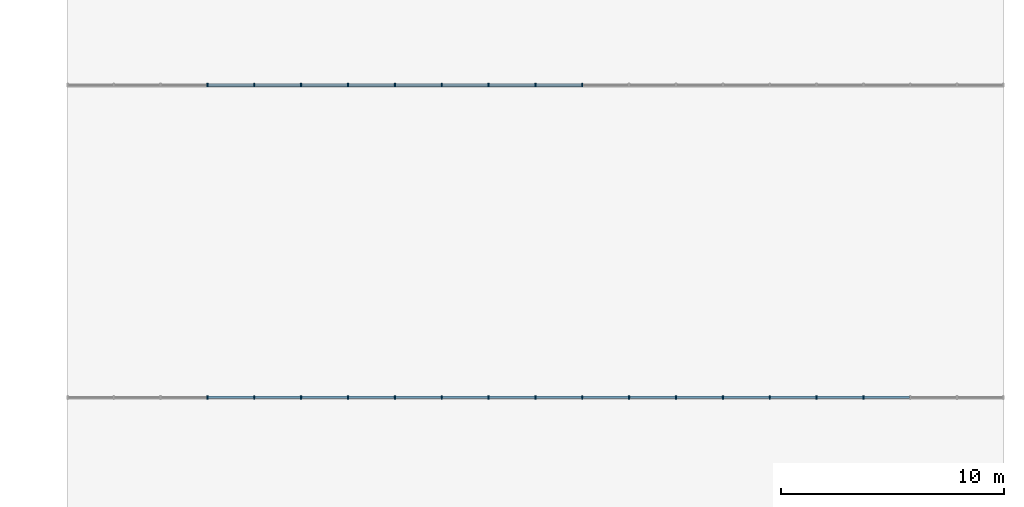
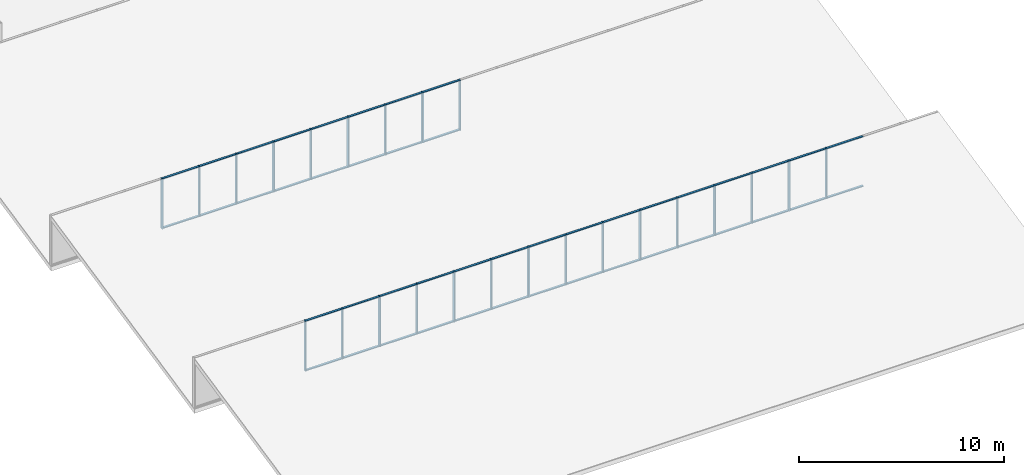
# One storey, part 36 of 137: 70 members, 2 elements without a shape of their own.
"""IFC4 building model written with IfcOpenShell, lengths in metres."""

from ifc_helpers import new_model, si_unit, direction, frame, origin, origin_2d, place, context, subcontext, project, spatial, rectangle, extrude, material, material_profile, profile_set, type_object, element, aggregate, save


model = new_model("IFC4")

# Units and contexts
model_context = context("Model", 3, precision=1e-05, world=origin(), true_north=direction((0.0, 1.0)))
body_context = subcontext(model_context, "Body", "Model", "MODEL_VIEW")
ifc_project = project(units=[si_unit("LENGTHUNIT", "METRE"), si_unit("AREAUNIT", "SQUARE_METRE"), si_unit("VOLUMEUNIT", "CUBIC_METRE"), si_unit("PLANEANGLEUNIT", "RADIAN"), si_unit("MASSUNIT", "GRAM", prefix="KILO")], contexts=[model_context])

# Site, building, storey
site_placement = place(None, origin())
site = spatial("IfcSite", under=ifc_project, at=site_placement, CompositionType="ELEMENT")
building_placement = place(site_placement, origin())
building = spatial("IfcBuilding", under=site, at=building_placement, Name="Bougainvillea Quay General Hospital", CompositionType="ELEMENT")
storey_placement = place(building_placement, frame((0.0, 0.0, 16.800048828125)))
storey = spatial("IfcBuildingStorey", under=building, at=storey_placement, Name="L03", CompositionType="ELEMENT", Elevation=16.800048828125)

# Curtain wall, members
ifc_material_1 = material(Name="Aluminium curtain wall system, powder-coated glazed", Category="aluminium")
curtain_wall_type = type_object("IfcCurtainWallType", Name="Unitised curtain wall CW-2100", PredefinedType="NOTDEFINED", material=ifc_material_1)
curtain_wall_1_placement = place(storey_placement, origin())
curtain_wall_1 = element("IfcCurtainWall", 1, at=curtain_wall_1_placement, inside=storey, type_object=curtain_wall_type, Name="ST-G1 GL0", PredefinedType="NOTDEFINED")
ifc_material_2 = material(Name="Aluminium mullion, powder-coated charcoal", Category="aluminium")
ifc_material_profile_1 = material_profile(ifc_material_2, rectangle(XDim=0.159912109375, YDim=0.06005859375, at=origin_2d()))
ifc_profile_set_1 = profile_set([ifc_material_profile_1], Name="Aluminium mullion, powder-coated charcoal")
member_type_1 = type_object("IfcMemberType", Name="Curtain wall mullion 160x60", PredefinedType="MULLION", material=ifc_profile_set_1)
member_1_placement = place(storey_placement, frame((170.10009765625, 89.679931640625, 0.0), z_axis=(0.0, 0.0, 1.0), x_axis=(0.0, 1.0, 0.0)))
member_1 = element("IfcMember", 2, at=member_1_placement, type_object=member_type_1, Name="ST-G1 mullion 4", PredefinedType="MULLION", context=body_context, shape_type="SweptSolid", body=[
    extrude(rectangle(XDim=0.159912109375, YDim=0.06005859375, at=origin_2d()), origin(), (0.0, 0.0, 1.0), 3.0),
])
member_2_placement = place(storey_placement, frame((172.199951171875, 89.679931640625, 0.0), z_axis=(0.0, 0.0, 1.0), x_axis=(0.0, 1.0, 0.0)))
member_2 = element("IfcMember", 3, at=member_2_placement, type_object=member_type_1, Name="ST-G1 mullion 5", PredefinedType="MULLION", context=body_context, shape_type="SweptSolid", body=[
    extrude(rectangle(XDim=0.159912109375, YDim=0.06005859375, at=origin_2d()), origin(), (0.0, 0.0, 1.0), 3.0),
])
member_3_placement = place(storey_placement, frame((174.300048828125, 89.679931640625, 0.0), z_axis=(0.0, 0.0, 1.0), x_axis=(0.0, 1.0, 0.0)))
member_3 = element("IfcMember", 4, at=member_3_placement, type_object=member_type_1, Name="ST-G1 mullion 6", PredefinedType="MULLION", context=body_context, shape_type="SweptSolid", body=[
    extrude(rectangle(XDim=0.159912109375, YDim=0.06005859375, at=origin_2d()), origin(), (0.0, 0.0, 1.0), 3.0),
])
member_4_placement = place(storey_placement, frame((176.39990234375, 89.679931640625, 0.0), z_axis=(0.0, 0.0, 1.0), x_axis=(0.0, 1.0, 0.0)))
member_4 = element("IfcMember", 5, at=member_4_placement, type_object=member_type_1, Name="ST-G1 mullion 7", PredefinedType="MULLION", context=body_context, shape_type="SweptSolid", body=[
    extrude(rectangle(XDim=0.159912109375, YDim=0.06005859375, at=origin_2d()), origin(), (0.0, 0.0, 1.0), 3.0),
])
member_5_placement = place(storey_placement, frame((178.5, 89.679931640625, 0.0), z_axis=(0.0, 0.0, 1.0), x_axis=(0.0, 1.0, 0.0)))
member_5 = element("IfcMember", 6, at=member_5_placement, type_object=member_type_1, Name="ST-G1 mullion 8", PredefinedType="MULLION", context=body_context, shape_type="SweptSolid", body=[
    extrude(rectangle(XDim=0.159912109375, YDim=0.06005859375, at=origin_2d()), origin(), (0.0, 0.0, 1.0), 3.0),
])
member_6_placement = place(storey_placement, frame((180.60009765625, 89.679931640625, 0.0), z_axis=(0.0, 0.0, 1.0), x_axis=(0.0, 1.0, 0.0)))
member_6 = element("IfcMember", 7, at=member_6_placement, type_object=member_type_1, Name="ST-G1 mullion 9", PredefinedType="MULLION", context=body_context, shape_type="SweptSolid", body=[
    extrude(rectangle(XDim=0.159912109375, YDim=0.06005859375, at=origin_2d()), origin(), (0.0, 0.0, 1.0), 3.0),
])
member_7_placement = place(storey_placement, frame((182.699951171875, 89.679931640625, 0.0), z_axis=(0.0, 0.0, 1.0), x_axis=(0.0, 1.0, 0.0)))
member_7 = element("IfcMember", 8, at=member_7_placement, type_object=member_type_1, Name="ST-G1 mullion 10", PredefinedType="MULLION", context=body_context, shape_type="SweptSolid", body=[
    extrude(rectangle(XDim=0.159912109375, YDim=0.06005859375, at=origin_2d()), origin(), (0.0, 0.0, 1.0), 3.0),
])
member_8_placement = place(storey_placement, frame((184.800048828125, 89.679931640625, 0.0), z_axis=(0.0, 0.0, 1.0), x_axis=(0.0, 1.0, 0.0)))
member_8 = element("IfcMember", 9, at=member_8_placement, type_object=member_type_1, Name="ST-G1 mullion 11", PredefinedType="MULLION", context=body_context, shape_type="SweptSolid", body=[
    extrude(rectangle(XDim=0.159912109375, YDim=0.06005859375, at=origin_2d()), origin(), (0.0, 0.0, 1.0), 3.0),
])
member_9_placement = place(storey_placement, frame((186.89990234375, 89.679931640625, 0.0), z_axis=(0.0, 0.0, 1.0), x_axis=(0.0, 1.0, 0.0)))
member_9 = element("IfcMember", 10, at=member_9_placement, type_object=member_type_1, Name="ST-G1 mullion 12", PredefinedType="MULLION", context=body_context, shape_type="SweptSolid", body=[
    extrude(rectangle(XDim=0.159912109375, YDim=0.06005859375, at=origin_2d()), origin(), (0.0, 0.0, 1.0), 3.0),
])
member_10_placement = place(storey_placement, frame((189.0, 89.679931640625, 0.0), z_axis=(0.0, 0.0, 1.0), x_axis=(0.0, 1.0, 0.0)))
member_10 = element("IfcMember", 11, at=member_10_placement, type_object=member_type_1, Name="ST-G1 mullion 13", PredefinedType="MULLION", context=body_context, shape_type="SweptSolid", body=[
    extrude(rectangle(XDim=0.159912109375, YDim=0.06005859375, at=origin_2d()), origin(), (0.0, 0.0, 1.0), 3.0),
])
member_11_placement = place(storey_placement, frame((191.10009765625, 89.679931640625, 0.0), z_axis=(0.0, 0.0, 1.0), x_axis=(0.0, 1.0, 0.0)))
member_11 = element("IfcMember", 12, at=member_11_placement, type_object=member_type_1, Name="ST-G1 mullion 14", PredefinedType="MULLION", context=body_context, shape_type="SweptSolid", body=[
    extrude(rectangle(XDim=0.159912109375, YDim=0.06005859375, at=origin_2d()), origin(), (0.0, 0.0, 1.0), 3.0),
])
member_12_placement = place(storey_placement, frame((193.199951171875, 89.679931640625, 0.0), z_axis=(0.0, 0.0, 1.0), x_axis=(0.0, 1.0, 0.0)))
member_12 = element("IfcMember", 13, at=member_12_placement, type_object=member_type_1, Name="ST-G1 mullion 15", PredefinedType="MULLION", context=body_context, shape_type="SweptSolid", body=[
    extrude(rectangle(XDim=0.159912109375, YDim=0.06005859375, at=origin_2d()), origin(), (0.0, 0.0, 1.0), 3.0),
])
member_13_placement = place(storey_placement, frame((195.300048828125, 89.679931640625, 0.0), z_axis=(0.0, 0.0, 1.0), x_axis=(0.0, 1.0, 0.0)))
member_13 = element("IfcMember", 14, at=member_13_placement, type_object=member_type_1, Name="ST-G1 mullion 16", PredefinedType="MULLION", context=body_context, shape_type="SweptSolid", body=[
    extrude(rectangle(XDim=0.159912109375, YDim=0.06005859375, at=origin_2d()), origin(), (0.0, 0.0, 1.0), 3.0),
])
member_14_placement = place(storey_placement, frame((197.39990234375, 89.679931640625, 0.0), z_axis=(0.0, 0.0, 1.0), x_axis=(0.0, 1.0, 0.0)))
member_14 = element("IfcMember", 15, at=member_14_placement, type_object=member_type_1, Name="ST-G1 mullion 17", PredefinedType="MULLION", context=body_context, shape_type="SweptSolid", body=[
    extrude(rectangle(XDim=0.159912109375, YDim=0.06005859375, at=origin_2d()), origin(), (0.0, 0.0, 1.0), 3.0),
])
member_15_placement = place(storey_placement, frame((199.5, 89.679931640625, 0.0), z_axis=(0.0, 0.0, 1.0), x_axis=(0.0, 1.0, 0.0)))
member_15 = element("IfcMember", 16, at=member_15_placement, type_object=member_type_1, Name="ST-G1 mullion 18", PredefinedType="MULLION", context=body_context, shape_type="SweptSolid", body=[
    extrude(rectangle(XDim=0.159912109375, YDim=0.06005859375, at=origin_2d()), origin(), (0.0, 0.0, 1.0), 3.0),
])

curtain_wall_2_placement = place(storey_placement, origin())
curtain_wall_2 = element("IfcCurtainWall", 17, at=curtain_wall_2_placement, inside=storey, type_object=curtain_wall_type, Name="ST-G2 GL1", PredefinedType="NOTDEFINED")
member_16_placement = place(storey_placement, frame((170.10009765625, 103.679931640625, 0.0), z_axis=(0.0, 0.0, 1.0), x_axis=(0.0, 1.0, 0.0)))
member_16 = element("IfcMember", 18, at=member_16_placement, type_object=member_type_1, Name="ST-G2 mullion 4", PredefinedType="MULLION", context=body_context, shape_type="SweptSolid", body=[
    extrude(rectangle(XDim=0.159912109375, YDim=0.06005859375, at=origin_2d()), origin(), (0.0, 0.0, 1.0), 3.0),
])
member_17_placement = place(storey_placement, frame((172.199951171875, 103.679931640625, 0.0), z_axis=(0.0, 0.0, 1.0), x_axis=(0.0, 1.0, 0.0)))
member_17 = element("IfcMember", 19, at=member_17_placement, type_object=member_type_1, Name="ST-G2 mullion 5", PredefinedType="MULLION", context=body_context, shape_type="SweptSolid", body=[
    extrude(rectangle(XDim=0.159912109375, YDim=0.06005859375, at=origin_2d()), origin(), (0.0, 0.0, 1.0), 3.0),
])
member_18_placement = place(storey_placement, frame((174.300048828125, 103.679931640625, 0.0), z_axis=(0.0, 0.0, 1.0), x_axis=(0.0, 1.0, 0.0)))
member_18 = element("IfcMember", 20, at=member_18_placement, type_object=member_type_1, Name="ST-G2 mullion 6", PredefinedType="MULLION", context=body_context, shape_type="SweptSolid", body=[
    extrude(rectangle(XDim=0.159912109375, YDim=0.06005859375, at=origin_2d()), origin(), (0.0, 0.0, 1.0), 3.0),
])
member_19_placement = place(storey_placement, frame((176.39990234375, 103.679931640625, 0.0), z_axis=(0.0, 0.0, 1.0), x_axis=(0.0, 1.0, 0.0)))
member_19 = element("IfcMember", 21, at=member_19_placement, type_object=member_type_1, Name="ST-G2 mullion 7", PredefinedType="MULLION", context=body_context, shape_type="SweptSolid", body=[
    extrude(rectangle(XDim=0.159912109375, YDim=0.06005859375, at=origin_2d()), origin(), (0.0, 0.0, 1.0), 3.0),
])
member_20_placement = place(storey_placement, frame((178.5, 103.679931640625, 0.0), z_axis=(0.0, 0.0, 1.0), x_axis=(0.0, 1.0, 0.0)))
member_20 = element("IfcMember", 22, at=member_20_placement, type_object=member_type_1, Name="ST-G2 mullion 8", PredefinedType="MULLION", context=body_context, shape_type="SweptSolid", body=[
    extrude(rectangle(XDim=0.159912109375, YDim=0.06005859375, at=origin_2d()), origin(), (0.0, 0.0, 1.0), 3.0),
])
member_21_placement = place(storey_placement, frame((180.60009765625, 103.679931640625, 0.0), z_axis=(0.0, 0.0, 1.0), x_axis=(0.0, 1.0, 0.0)))
member_21 = element("IfcMember", 23, at=member_21_placement, type_object=member_type_1, Name="ST-G2 mullion 9", PredefinedType="MULLION", context=body_context, shape_type="SweptSolid", body=[
    extrude(rectangle(XDim=0.159912109375, YDim=0.06005859375, at=origin_2d()), origin(), (0.0, 0.0, 1.0), 3.0),
])
member_22_placement = place(storey_placement, frame((182.699951171875, 103.679931640625, 0.0), z_axis=(0.0, 0.0, 1.0), x_axis=(0.0, 1.0, 0.0)))
member_22 = element("IfcMember", 24, at=member_22_placement, type_object=member_type_1, Name="ST-G2 mullion 10", PredefinedType="MULLION", context=body_context, shape_type="SweptSolid", body=[
    extrude(rectangle(XDim=0.159912109375, YDim=0.06005859375, at=origin_2d()), origin(), (0.0, 0.0, 1.0), 3.0),
])
member_23_placement = place(storey_placement, frame((184.800048828125, 103.679931640625, 0.0), z_axis=(0.0, 0.0, 1.0), x_axis=(0.0, 1.0, 0.0)))
member_23 = element("IfcMember", 25, at=member_23_placement, type_object=member_type_1, Name="ST-G2 mullion 11", PredefinedType="MULLION", context=body_context, shape_type="SweptSolid", body=[
    extrude(rectangle(XDim=0.159912109375, YDim=0.06005859375, at=origin_2d()), origin(), (0.0, 0.0, 1.0), 3.0),
])
member_24_placement = place(storey_placement, frame((186.89990234375, 103.679931640625, 0.0), z_axis=(0.0, 0.0, 1.0), x_axis=(0.0, 1.0, 0.0)))
member_24 = element("IfcMember", 26, at=member_24_placement, type_object=member_type_1, Name="ST-G2 mullion 12", PredefinedType="MULLION", context=body_context, shape_type="SweptSolid", body=[
    extrude(rectangle(XDim=0.159912109375, YDim=0.06005859375, at=origin_2d()), origin(), (0.0, 0.0, 1.0), 3.0),
])

# Member
ifc_material_3 = material(Name="Aluminium transom, powder-coated charcoal", Category="aluminium")
ifc_material_profile_2 = material_profile(ifc_material_3, rectangle(XDim=0.1201171875, YDim=0.06005859375, at=origin_2d()))
ifc_profile_set_2 = profile_set([ifc_material_profile_2], Name="Aluminium transom, powder-coated charcoal")
member_type_2 = type_object("IfcMemberType", Name="Curtain wall transom 120x60", PredefinedType="USERDEFINED", material=ifc_profile_set_2)
member_25_placement = place(storey_placement, frame((170.1298828125, 89.679931640625, 0.030029296875), z_axis=(1.0, 0.0, 0.0), x_axis=(0.0, 1.0, 0.0)))
member_25 = element("IfcMember", 27, at=member_25_placement, type_object=member_type_2, Name="ST-G1 transom 4.1", ObjectType="TRANSOM", PredefinedType="USERDEFINED", context=body_context, shape_type="SweptSolid", body=[
    extrude(rectangle(XDim=0.1201171875, YDim=0.06005859375, at=origin_2d()), origin(), (0.0, 0.0, 1.0), 2.0400390625),
])

member_26_placement = place(storey_placement, frame((170.1298828125, 89.679931640625, 2.969970703125), z_axis=(1.0, 0.0, 0.0), x_axis=(0.0, 1.0, 0.0)))
member_26 = element("IfcMember", 28, at=member_26_placement, type_object=member_type_2, Name="ST-G1 transom 4.2", ObjectType="TRANSOM", PredefinedType="USERDEFINED", context=body_context, shape_type="SweptSolid", body=[
    extrude(rectangle(XDim=0.1201171875, YDim=0.06005859375, at=origin_2d()), origin(), (0.0, 0.0, 1.0), 2.0400390625),
])

member_27_placement = place(storey_placement, frame((172.22998046875, 89.679931640625, 0.030029296875), z_axis=(1.0, 0.0, 0.0), x_axis=(0.0, 1.0, 0.0)))
member_27 = element("IfcMember", 29, at=member_27_placement, type_object=member_type_2, Name="ST-G1 transom 5.1", ObjectType="TRANSOM", PredefinedType="USERDEFINED", context=body_context, shape_type="SweptSolid", body=[
    extrude(rectangle(XDim=0.1201171875, YDim=0.06005859375, at=origin_2d()), origin(), (0.0, 0.0, 1.0), 2.0400390625),
])

member_28_placement = place(storey_placement, frame((172.22998046875, 89.679931640625, 2.969970703125), z_axis=(1.0, 0.0, 0.0), x_axis=(0.0, 1.0, 0.0)))
member_28 = element("IfcMember", 30, at=member_28_placement, type_object=member_type_2, Name="ST-G1 transom 5.2", ObjectType="TRANSOM", PredefinedType="USERDEFINED", context=body_context, shape_type="SweptSolid", body=[
    extrude(rectangle(XDim=0.1201171875, YDim=0.06005859375, at=origin_2d()), origin(), (0.0, 0.0, 1.0), 2.0400390625),
])

member_29_placement = place(storey_placement, frame((174.330078125, 89.679931640625, 0.030029296875), z_axis=(1.0, 0.0, 0.0), x_axis=(0.0, 1.0, 0.0)))
member_29 = element("IfcMember", 31, at=member_29_placement, type_object=member_type_2, Name="ST-G1 transom 6.1", ObjectType="TRANSOM", PredefinedType="USERDEFINED", context=body_context, shape_type="SweptSolid", body=[
    extrude(rectangle(XDim=0.1201171875, YDim=0.06005859375, at=origin_2d()), origin(), (0.0, 0.0, 1.0), 2.0400390625),
])

member_30_placement = place(storey_placement, frame((174.330078125, 89.679931640625, 2.969970703125), z_axis=(1.0, 0.0, 0.0), x_axis=(0.0, 1.0, 0.0)))
member_30 = element("IfcMember", 32, at=member_30_placement, type_object=member_type_2, Name="ST-G1 transom 6.2", ObjectType="TRANSOM", PredefinedType="USERDEFINED", context=body_context, shape_type="SweptSolid", body=[
    extrude(rectangle(XDim=0.1201171875, YDim=0.06005859375, at=origin_2d()), origin(), (0.0, 0.0, 1.0), 2.0400390625),
])

member_31_placement = place(storey_placement, frame((176.429931640625, 89.679931640625, 0.030029296875), z_axis=(1.0, 0.0, 0.0), x_axis=(0.0, 1.0, 0.0)))
member_31 = element("IfcMember", 33, at=member_31_placement, type_object=member_type_2, Name="ST-G1 transom 7.1", ObjectType="TRANSOM", PredefinedType="USERDEFINED", context=body_context, shape_type="SweptSolid", body=[
    extrude(rectangle(XDim=0.1201171875, YDim=0.06005859375, at=origin_2d()), origin(), (0.0, 0.0, 1.0), 2.0400390625),
])

member_32_placement = place(storey_placement, frame((176.429931640625, 89.679931640625, 2.969970703125), z_axis=(1.0, 0.0, 0.0), x_axis=(0.0, 1.0, 0.0)))
member_32 = element("IfcMember", 34, at=member_32_placement, type_object=member_type_2, Name="ST-G1 transom 7.2", ObjectType="TRANSOM", PredefinedType="USERDEFINED", context=body_context, shape_type="SweptSolid", body=[
    extrude(rectangle(XDim=0.1201171875, YDim=0.06005859375, at=origin_2d()), origin(), (0.0, 0.0, 1.0), 2.0400390625),
])

member_33_placement = place(storey_placement, frame((178.530029296875, 89.679931640625, 0.030029296875), z_axis=(1.0, 0.0, 0.0), x_axis=(0.0, 1.0, 0.0)))
member_33 = element("IfcMember", 35, at=member_33_placement, type_object=member_type_2, Name="ST-G1 transom 8.1", ObjectType="TRANSOM", PredefinedType="USERDEFINED", context=body_context, shape_type="SweptSolid", body=[
    extrude(rectangle(XDim=0.1201171875, YDim=0.06005859375, at=origin_2d()), origin(), (0.0, 0.0, 1.0), 2.0400390625),
])

member_34_placement = place(storey_placement, frame((178.530029296875, 89.679931640625, 2.969970703125), z_axis=(1.0, 0.0, 0.0), x_axis=(0.0, 1.0, 0.0)))
member_34 = element("IfcMember", 36, at=member_34_placement, type_object=member_type_2, Name="ST-G1 transom 8.2", ObjectType="TRANSOM", PredefinedType="USERDEFINED", context=body_context, shape_type="SweptSolid", body=[
    extrude(rectangle(XDim=0.1201171875, YDim=0.06005859375, at=origin_2d()), origin(), (0.0, 0.0, 1.0), 2.0400390625),
])

member_35_placement = place(storey_placement, frame((180.6298828125, 89.679931640625, 0.030029296875), z_axis=(1.0, 0.0, 0.0), x_axis=(0.0, 1.0, 0.0)))
member_35 = element("IfcMember", 37, at=member_35_placement, type_object=member_type_2, Name="ST-G1 transom 9.1", ObjectType="TRANSOM", PredefinedType="USERDEFINED", context=body_context, shape_type="SweptSolid", body=[
    extrude(rectangle(XDim=0.1201171875, YDim=0.06005859375, at=origin_2d()), origin(), (0.0, 0.0, 1.0), 2.0400390625),
])

member_36_placement = place(storey_placement, frame((180.6298828125, 89.679931640625, 2.969970703125), z_axis=(1.0, 0.0, 0.0), x_axis=(0.0, 1.0, 0.0)))
member_36 = element("IfcMember", 38, at=member_36_placement, type_object=member_type_2, Name="ST-G1 transom 9.2", ObjectType="TRANSOM", PredefinedType="USERDEFINED", context=body_context, shape_type="SweptSolid", body=[
    extrude(rectangle(XDim=0.1201171875, YDim=0.06005859375, at=origin_2d()), origin(), (0.0, 0.0, 1.0), 2.0400390625),
])

member_37_placement = place(storey_placement, frame((182.72998046875, 89.679931640625, 0.030029296875), z_axis=(1.0, 0.0, 0.0), x_axis=(0.0, 1.0, 0.0)))
member_37 = element("IfcMember", 39, at=member_37_placement, type_object=member_type_2, Name="ST-G1 transom 10.1", ObjectType="TRANSOM", PredefinedType="USERDEFINED", context=body_context, shape_type="SweptSolid", body=[
    extrude(rectangle(XDim=0.1201171875, YDim=0.06005859375, at=origin_2d()), origin(), (0.0, 0.0, 1.0), 2.0400390625),
])

member_38_placement = place(storey_placement, frame((182.72998046875, 89.679931640625, 2.969970703125), z_axis=(1.0, 0.0, 0.0), x_axis=(0.0, 1.0, 0.0)))
member_38 = element("IfcMember", 40, at=member_38_placement, type_object=member_type_2, Name="ST-G1 transom 10.2", ObjectType="TRANSOM", PredefinedType="USERDEFINED", context=body_context, shape_type="SweptSolid", body=[
    extrude(rectangle(XDim=0.1201171875, YDim=0.06005859375, at=origin_2d()), origin(), (0.0, 0.0, 1.0), 2.0400390625),
])

member_39_placement = place(storey_placement, frame((184.830078125, 89.679931640625, 0.030029296875), z_axis=(1.0, 0.0, 0.0), x_axis=(0.0, 1.0, 0.0)))
member_39 = element("IfcMember", 41, at=member_39_placement, type_object=member_type_2, Name="ST-G1 transom 11.1", ObjectType="TRANSOM", PredefinedType="USERDEFINED", context=body_context, shape_type="SweptSolid", body=[
    extrude(rectangle(XDim=0.1201171875, YDim=0.06005859375, at=origin_2d()), origin(), (0.0, 0.0, 1.0), 2.0400390625),
])

member_40_placement = place(storey_placement, frame((184.830078125, 89.679931640625, 2.969970703125), z_axis=(1.0, 0.0, 0.0), x_axis=(0.0, 1.0, 0.0)))
member_40 = element("IfcMember", 42, at=member_40_placement, type_object=member_type_2, Name="ST-G1 transom 11.2", ObjectType="TRANSOM", PredefinedType="USERDEFINED", context=body_context, shape_type="SweptSolid", body=[
    extrude(rectangle(XDim=0.1201171875, YDim=0.06005859375, at=origin_2d()), origin(), (0.0, 0.0, 1.0), 2.0400390625),
])

member_41_placement = place(storey_placement, frame((186.929931640625, 89.679931640625, 0.030029296875), z_axis=(1.0, 0.0, 0.0), x_axis=(0.0, 1.0, 0.0)))
member_41 = element("IfcMember", 43, at=member_41_placement, type_object=member_type_2, Name="ST-G1 transom 12.1", ObjectType="TRANSOM", PredefinedType="USERDEFINED", context=body_context, shape_type="SweptSolid", body=[
    extrude(rectangle(XDim=0.1201171875, YDim=0.06005859375, at=origin_2d()), origin(), (0.0, 0.0, 1.0), 2.0400390625),
])

member_42_placement = place(storey_placement, frame((186.929931640625, 89.679931640625, 2.969970703125), z_axis=(1.0, 0.0, 0.0), x_axis=(0.0, 1.0, 0.0)))
member_42 = element("IfcMember", 44, at=member_42_placement, type_object=member_type_2, Name="ST-G1 transom 12.2", ObjectType="TRANSOM", PredefinedType="USERDEFINED", context=body_context, shape_type="SweptSolid", body=[
    extrude(rectangle(XDim=0.1201171875, YDim=0.06005859375, at=origin_2d()), origin(), (0.0, 0.0, 1.0), 2.0400390625),
])

member_43_placement = place(storey_placement, frame((189.030029296875, 89.679931640625, 0.030029296875), z_axis=(1.0, 0.0, 0.0), x_axis=(0.0, 1.0, 0.0)))
member_43 = element("IfcMember", 45, at=member_43_placement, type_object=member_type_2, Name="ST-G1 transom 13.1", ObjectType="TRANSOM", PredefinedType="USERDEFINED", context=body_context, shape_type="SweptSolid", body=[
    extrude(rectangle(XDim=0.1201171875, YDim=0.06005859375, at=origin_2d()), origin(), (0.0, 0.0, 1.0), 2.0400390625),
])

member_44_placement = place(storey_placement, frame((189.030029296875, 89.679931640625, 2.969970703125), z_axis=(1.0, 0.0, 0.0), x_axis=(0.0, 1.0, 0.0)))
member_44 = element("IfcMember", 46, at=member_44_placement, type_object=member_type_2, Name="ST-G1 transom 13.2", ObjectType="TRANSOM", PredefinedType="USERDEFINED", context=body_context, shape_type="SweptSolid", body=[
    extrude(rectangle(XDim=0.1201171875, YDim=0.06005859375, at=origin_2d()), origin(), (0.0, 0.0, 1.0), 2.0400390625),
])

member_45_placement = place(storey_placement, frame((191.1298828125, 89.679931640625, 0.030029296875), z_axis=(1.0, 0.0, 0.0), x_axis=(0.0, 1.0, 0.0)))
member_45 = element("IfcMember", 47, at=member_45_placement, type_object=member_type_2, Name="ST-G1 transom 14.1", ObjectType="TRANSOM", PredefinedType="USERDEFINED", context=body_context, shape_type="SweptSolid", body=[
    extrude(rectangle(XDim=0.1201171875, YDim=0.06005859375, at=origin_2d()), origin(), (0.0, 0.0, 1.0), 2.0400390625),
])

member_46_placement = place(storey_placement, frame((191.1298828125, 89.679931640625, 2.969970703125), z_axis=(1.0, 0.0, 0.0), x_axis=(0.0, 1.0, 0.0)))
member_46 = element("IfcMember", 48, at=member_46_placement, type_object=member_type_2, Name="ST-G1 transom 14.2", ObjectType="TRANSOM", PredefinedType="USERDEFINED", context=body_context, shape_type="SweptSolid", body=[
    extrude(rectangle(XDim=0.1201171875, YDim=0.06005859375, at=origin_2d()), origin(), (0.0, 0.0, 1.0), 2.0400390625),
])

member_47_placement = place(storey_placement, frame((193.22998046875, 89.679931640625, 0.030029296875), z_axis=(1.0, 0.0, 0.0), x_axis=(0.0, 1.0, 0.0)))
member_47 = element("IfcMember", 49, at=member_47_placement, type_object=member_type_2, Name="ST-G1 transom 15.1", ObjectType="TRANSOM", PredefinedType="USERDEFINED", context=body_context, shape_type="SweptSolid", body=[
    extrude(rectangle(XDim=0.1201171875, YDim=0.06005859375, at=origin_2d()), origin(), (0.0, 0.0, 1.0), 2.0400390625),
])

member_48_placement = place(storey_placement, frame((193.22998046875, 89.679931640625, 2.969970703125), z_axis=(1.0, 0.0, 0.0), x_axis=(0.0, 1.0, 0.0)))
member_48 = element("IfcMember", 50, at=member_48_placement, type_object=member_type_2, Name="ST-G1 transom 15.2", ObjectType="TRANSOM", PredefinedType="USERDEFINED", context=body_context, shape_type="SweptSolid", body=[
    extrude(rectangle(XDim=0.1201171875, YDim=0.06005859375, at=origin_2d()), origin(), (0.0, 0.0, 1.0), 2.0400390625),
])

member_49_placement = place(storey_placement, frame((195.330078125, 89.679931640625, 0.030029296875), z_axis=(1.0, 0.0, 0.0), x_axis=(0.0, 1.0, 0.0)))
member_49 = element("IfcMember", 51, at=member_49_placement, type_object=member_type_2, Name="ST-G1 transom 16.1", ObjectType="TRANSOM", PredefinedType="USERDEFINED", context=body_context, shape_type="SweptSolid", body=[
    extrude(rectangle(XDim=0.1201171875, YDim=0.06005859375, at=origin_2d()), origin(), (0.0, 0.0, 1.0), 2.0400390625),
])

member_50_placement = place(storey_placement, frame((195.330078125, 89.679931640625, 2.969970703125), z_axis=(1.0, 0.0, 0.0), x_axis=(0.0, 1.0, 0.0)))
member_50 = element("IfcMember", 52, at=member_50_placement, type_object=member_type_2, Name="ST-G1 transom 16.2", ObjectType="TRANSOM", PredefinedType="USERDEFINED", context=body_context, shape_type="SweptSolid", body=[
    extrude(rectangle(XDim=0.1201171875, YDim=0.06005859375, at=origin_2d()), origin(), (0.0, 0.0, 1.0), 2.0400390625),
])

member_51_placement = place(storey_placement, frame((197.429931640625, 89.679931640625, 0.030029296875), z_axis=(1.0, 0.0, 0.0), x_axis=(0.0, 1.0, 0.0)))
member_51 = element("IfcMember", 53, at=member_51_placement, type_object=member_type_2, Name="ST-G1 transom 17.1", ObjectType="TRANSOM", PredefinedType="USERDEFINED", context=body_context, shape_type="SweptSolid", body=[
    extrude(rectangle(XDim=0.1201171875, YDim=0.06005859375, at=origin_2d()), origin(), (0.0, 0.0, 1.0), 2.0400390625),
])

member_52_placement = place(storey_placement, frame((197.429931640625, 89.679931640625, 2.969970703125), z_axis=(1.0, 0.0, 0.0), x_axis=(0.0, 1.0, 0.0)))
member_52 = element("IfcMember", 54, at=member_52_placement, type_object=member_type_2, Name="ST-G1 transom 17.2", ObjectType="TRANSOM", PredefinedType="USERDEFINED", context=body_context, shape_type="SweptSolid", body=[
    extrude(rectangle(XDim=0.1201171875, YDim=0.06005859375, at=origin_2d()), origin(), (0.0, 0.0, 1.0), 2.0400390625),
])

member_53_placement = place(storey_placement, frame((199.530029296875, 89.679931640625, 0.030029296875), z_axis=(1.0, 0.0, 0.0), x_axis=(0.0, 1.0, 0.0)))
member_53 = element("IfcMember", 55, at=member_53_placement, type_object=member_type_2, Name="ST-G1 transom 18.1", ObjectType="TRANSOM", PredefinedType="USERDEFINED", context=body_context, shape_type="SweptSolid", body=[
    extrude(rectangle(XDim=0.1201171875, YDim=0.06005859375, at=origin_2d()), origin(), (0.0, 0.0, 1.0), 2.0400390625),
])

member_54_placement = place(storey_placement, frame((199.530029296875, 89.679931640625, 2.969970703125), z_axis=(1.0, 0.0, 0.0), x_axis=(0.0, 1.0, 0.0)))
member_54 = element("IfcMember", 56, at=member_54_placement, type_object=member_type_2, Name="ST-G1 transom 18.2", ObjectType="TRANSOM", PredefinedType="USERDEFINED", context=body_context, shape_type="SweptSolid", body=[
    extrude(rectangle(XDim=0.1201171875, YDim=0.06005859375, at=origin_2d()), origin(), (0.0, 0.0, 1.0), 2.0400390625),
])

aggregate(curtain_wall_1, [member_1, member_2, member_3, member_4, member_5, member_6, member_7, member_8, member_9, member_10, member_11, member_12, member_13, member_14, member_15, member_25, member_26, member_27, member_28, member_29, member_30, member_31, member_32, member_33, member_34, member_35, member_36, member_37, member_38, member_39, member_40, member_41, member_42, member_43, member_44, member_45, member_46, member_47, member_48, member_49, member_50, member_51, member_52, member_53, member_54])

member_55_placement = place(storey_placement, frame((170.1298828125, 103.679931640625, 0.030029296875), z_axis=(1.0, 0.0, 0.0), x_axis=(0.0, 1.0, 0.0)))
member_55 = element("IfcMember", 57, at=member_55_placement, type_object=member_type_2, Name="ST-G2 transom 4.1", ObjectType="TRANSOM", PredefinedType="USERDEFINED", context=body_context, shape_type="SweptSolid", body=[
    extrude(rectangle(XDim=0.1201171875, YDim=0.06005859375, at=origin_2d()), origin(), (0.0, 0.0, 1.0), 2.0400390625),
])

member_56_placement = place(storey_placement, frame((170.1298828125, 103.679931640625, 2.969970703125), z_axis=(1.0, 0.0, 0.0), x_axis=(0.0, 1.0, 0.0)))
member_56 = element("IfcMember", 58, at=member_56_placement, type_object=member_type_2, Name="ST-G2 transom 4.2", ObjectType="TRANSOM", PredefinedType="USERDEFINED", context=body_context, shape_type="SweptSolid", body=[
    extrude(rectangle(XDim=0.1201171875, YDim=0.06005859375, at=origin_2d()), origin(), (0.0, 0.0, 1.0), 2.0400390625),
])

member_57_placement = place(storey_placement, frame((172.22998046875, 103.679931640625, 0.030029296875), z_axis=(1.0, 0.0, 0.0), x_axis=(0.0, 1.0, 0.0)))
member_57 = element("IfcMember", 59, at=member_57_placement, type_object=member_type_2, Name="ST-G2 transom 5.1", ObjectType="TRANSOM", PredefinedType="USERDEFINED", context=body_context, shape_type="SweptSolid", body=[
    extrude(rectangle(XDim=0.1201171875, YDim=0.06005859375, at=origin_2d()), origin(), (0.0, 0.0, 1.0), 2.0400390625),
])

member_58_placement = place(storey_placement, frame((172.22998046875, 103.679931640625, 2.969970703125), z_axis=(1.0, 0.0, 0.0), x_axis=(0.0, 1.0, 0.0)))
member_58 = element("IfcMember", 60, at=member_58_placement, type_object=member_type_2, Name="ST-G2 transom 5.2", ObjectType="TRANSOM", PredefinedType="USERDEFINED", context=body_context, shape_type="SweptSolid", body=[
    extrude(rectangle(XDim=0.1201171875, YDim=0.06005859375, at=origin_2d()), origin(), (0.0, 0.0, 1.0), 2.0400390625),
])

member_59_placement = place(storey_placement, frame((174.330078125, 103.679931640625, 0.030029296875), z_axis=(1.0, 0.0, 0.0), x_axis=(0.0, 1.0, 0.0)))
member_59 = element("IfcMember", 61, at=member_59_placement, type_object=member_type_2, Name="ST-G2 transom 6.1", ObjectType="TRANSOM", PredefinedType="USERDEFINED", context=body_context, shape_type="SweptSolid", body=[
    extrude(rectangle(XDim=0.1201171875, YDim=0.06005859375, at=origin_2d()), origin(), (0.0, 0.0, 1.0), 2.0400390625),
])

member_60_placement = place(storey_placement, frame((174.330078125, 103.679931640625, 2.969970703125), z_axis=(1.0, 0.0, 0.0), x_axis=(0.0, 1.0, 0.0)))
member_60 = element("IfcMember", 62, at=member_60_placement, type_object=member_type_2, Name="ST-G2 transom 6.2", ObjectType="TRANSOM", PredefinedType="USERDEFINED", context=body_context, shape_type="SweptSolid", body=[
    extrude(rectangle(XDim=0.1201171875, YDim=0.06005859375, at=origin_2d()), origin(), (0.0, 0.0, 1.0), 2.0400390625),
])

member_61_placement = place(storey_placement, frame((176.429931640625, 103.679931640625, 0.030029296875), z_axis=(1.0, 0.0, 0.0), x_axis=(0.0, 1.0, 0.0)))
member_61 = element("IfcMember", 63, at=member_61_placement, type_object=member_type_2, Name="ST-G2 transom 7.1", ObjectType="TRANSOM", PredefinedType="USERDEFINED", context=body_context, shape_type="SweptSolid", body=[
    extrude(rectangle(XDim=0.1201171875, YDim=0.06005859375, at=origin_2d()), origin(), (0.0, 0.0, 1.0), 2.0400390625),
])

member_62_placement = place(storey_placement, frame((176.429931640625, 103.679931640625, 2.969970703125), z_axis=(1.0, 0.0, 0.0), x_axis=(0.0, 1.0, 0.0)))
member_62 = element("IfcMember", 64, at=member_62_placement, type_object=member_type_2, Name="ST-G2 transom 7.2", ObjectType="TRANSOM", PredefinedType="USERDEFINED", context=body_context, shape_type="SweptSolid", body=[
    extrude(rectangle(XDim=0.1201171875, YDim=0.06005859375, at=origin_2d()), origin(), (0.0, 0.0, 1.0), 2.0400390625),
])

member_63_placement = place(storey_placement, frame((178.530029296875, 103.679931640625, 0.030029296875), z_axis=(1.0, 0.0, 0.0), x_axis=(0.0, 1.0, 0.0)))
member_63 = element("IfcMember", 65, at=member_63_placement, type_object=member_type_2, Name="ST-G2 transom 8.1", ObjectType="TRANSOM", PredefinedType="USERDEFINED", context=body_context, shape_type="SweptSolid", body=[
    extrude(rectangle(XDim=0.1201171875, YDim=0.06005859375, at=origin_2d()), origin(), (0.0, 0.0, 1.0), 2.0400390625),
])

member_64_placement = place(storey_placement, frame((178.530029296875, 103.679931640625, 2.969970703125), z_axis=(1.0, 0.0, 0.0), x_axis=(0.0, 1.0, 0.0)))
member_64 = element("IfcMember", 66, at=member_64_placement, type_object=member_type_2, Name="ST-G2 transom 8.2", ObjectType="TRANSOM", PredefinedType="USERDEFINED", context=body_context, shape_type="SweptSolid", body=[
    extrude(rectangle(XDim=0.1201171875, YDim=0.06005859375, at=origin_2d()), origin(), (0.0, 0.0, 1.0), 2.0400390625),
])

member_65_placement = place(storey_placement, frame((180.6298828125, 103.679931640625, 0.030029296875), z_axis=(1.0, 0.0, 0.0), x_axis=(0.0, 1.0, 0.0)))
member_65 = element("IfcMember", 67, at=member_65_placement, type_object=member_type_2, Name="ST-G2 transom 9.1", ObjectType="TRANSOM", PredefinedType="USERDEFINED", context=body_context, shape_type="SweptSolid", body=[
    extrude(rectangle(XDim=0.1201171875, YDim=0.06005859375, at=origin_2d()), origin(), (0.0, 0.0, 1.0), 2.0400390625),
])

member_66_placement = place(storey_placement, frame((180.6298828125, 103.679931640625, 2.969970703125), z_axis=(1.0, 0.0, 0.0), x_axis=(0.0, 1.0, 0.0)))
member_66 = element("IfcMember", 68, at=member_66_placement, type_object=member_type_2, Name="ST-G2 transom 9.2", ObjectType="TRANSOM", PredefinedType="USERDEFINED", context=body_context, shape_type="SweptSolid", body=[
    extrude(rectangle(XDim=0.1201171875, YDim=0.06005859375, at=origin_2d()), origin(), (0.0, 0.0, 1.0), 2.0400390625),
])

member_67_placement = place(storey_placement, frame((182.72998046875, 103.679931640625, 0.030029296875), z_axis=(1.0, 0.0, 0.0), x_axis=(0.0, 1.0, 0.0)))
member_67 = element("IfcMember", 69, at=member_67_placement, type_object=member_type_2, Name="ST-G2 transom 10.1", ObjectType="TRANSOM", PredefinedType="USERDEFINED", context=body_context, shape_type="SweptSolid", body=[
    extrude(rectangle(XDim=0.1201171875, YDim=0.06005859375, at=origin_2d()), origin(), (0.0, 0.0, 1.0), 2.0400390625),
])

member_68_placement = place(storey_placement, frame((182.72998046875, 103.679931640625, 2.969970703125), z_axis=(1.0, 0.0, 0.0), x_axis=(0.0, 1.0, 0.0)))
member_68 = element("IfcMember", 70, at=member_68_placement, type_object=member_type_2, Name="ST-G2 transom 10.2", ObjectType="TRANSOM", PredefinedType="USERDEFINED", context=body_context, shape_type="SweptSolid", body=[
    extrude(rectangle(XDim=0.1201171875, YDim=0.06005859375, at=origin_2d()), origin(), (0.0, 0.0, 1.0), 2.0400390625),
])

member_69_placement = place(storey_placement, frame((184.830078125, 103.679931640625, 0.030029296875), z_axis=(1.0, 0.0, 0.0), x_axis=(0.0, 1.0, 0.0)))
member_69 = element("IfcMember", 71, at=member_69_placement, type_object=member_type_2, Name="ST-G2 transom 11.1", ObjectType="TRANSOM", PredefinedType="USERDEFINED", context=body_context, shape_type="SweptSolid", body=[
    extrude(rectangle(XDim=0.1201171875, YDim=0.06005859375, at=origin_2d()), origin(), (0.0, 0.0, 1.0), 2.0400390625),
])

member_70_placement = place(storey_placement, frame((184.830078125, 103.679931640625, 2.969970703125), z_axis=(1.0, 0.0, 0.0), x_axis=(0.0, 1.0, 0.0)))
member_70 = element("IfcMember", 72, at=member_70_placement, type_object=member_type_2, Name="ST-G2 transom 11.2", ObjectType="TRANSOM", PredefinedType="USERDEFINED", context=body_context, shape_type="SweptSolid", body=[
    extrude(rectangle(XDim=0.1201171875, YDim=0.06005859375, at=origin_2d()), origin(), (0.0, 0.0, 1.0), 2.0400390625),
])

aggregate(curtain_wall_2, [member_16, member_17, member_18, member_19, member_20, member_21, member_22, member_23, member_24, member_55, member_56, member_57, member_58, member_59, member_60, member_61, member_62, member_63, member_64, member_65, member_66, member_67, member_68, member_69, member_70])

save(model, "model.ifc")
